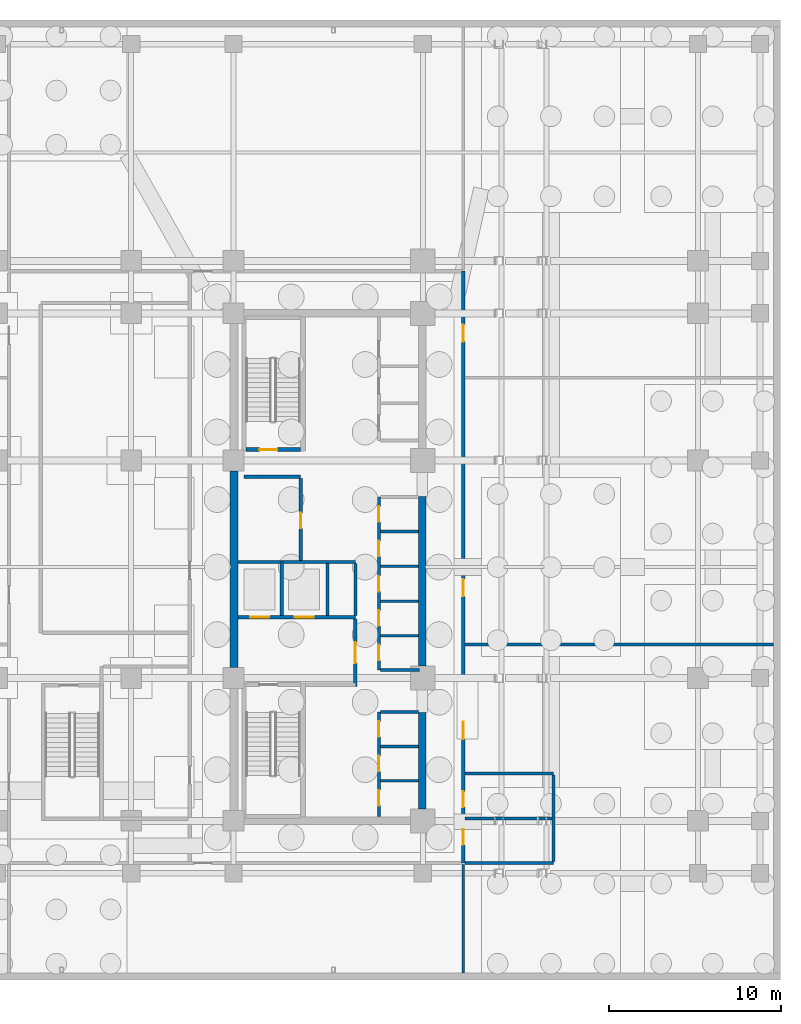
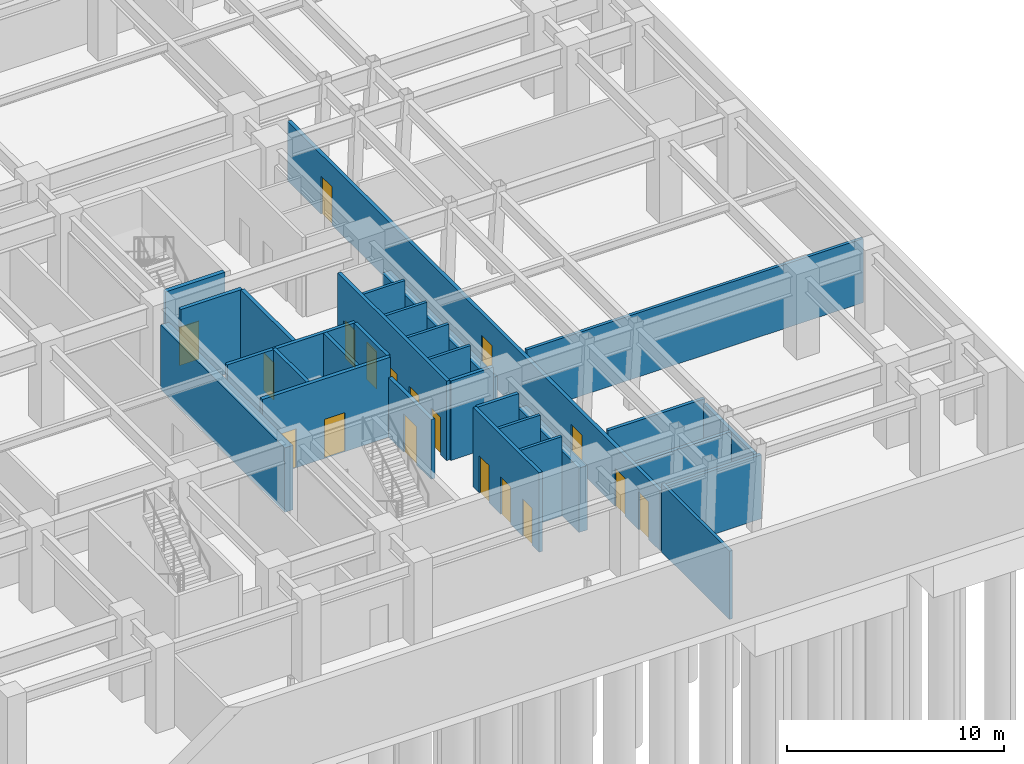
# One storey, part 10 of 13: 29 walls, 18 doors, 18 openings.
"""IFC4 building model written with IfcOpenShell, lengths in metres."""

from ifc_helpers import new_model, si_unit, direction, frame, frame_2d, origin, place, context, subcontext, project, spatial, rectangle, extrude, material, layer, layer_set, type_object, element, fill, save


model = new_model("IFC4")

# Units and contexts
model_context = context("Model", 3, precision=1e-05, world=origin(), true_north=direction((0.0, 1.0)))
body_context = subcontext(model_context, "Body", "Model", "MODEL_VIEW")
ifc_project = project(units=[si_unit("LENGTHUNIT", "METRE"), si_unit("AREAUNIT", "SQUARE_METRE"), si_unit("VOLUMEUNIT", "CUBIC_METRE"), si_unit("PLANEANGLEUNIT", "RADIAN"), si_unit("MASSUNIT", "GRAM", prefix="KILO")], contexts=[model_context])

# Site, building, storey
site_placement = place(None, origin())
site = spatial("IfcSite", under=ifc_project, at=site_placement, CompositionType="ELEMENT")
building_placement = place(site_placement, origin())
building = spatial("IfcBuilding", under=site, at=building_placement, Name="Ochreholt Gables", CompositionType="ELEMENT")
storey_placement = place(building_placement, frame((0.0, 0.0, -9.60009765625)))
storey = spatial("IfcBuildingStorey", under=building, at=storey_placement, Name="B2", CompositionType="ELEMENT", Elevation=-9.60009765625)

# Walls
ifc_material_1 = material(Name="Concrete 60 MPa", Category="concrete")
ifc_layer_1 = layer(ifc_material_1, 0.449951171875, Name="Concrete 60 MPa")
ifc_layer_set_1 = layer_set([ifc_layer_1], Name="Concrete 60 MPa")
wall_type_1 = type_object("IfcWallType", Name="WALL-CSW-450", PredefinedType="SHEAR", material=ifc_layer_set_1)
wall_1_placement = place(storey_placement, frame((24.22509765625, 18.14990234375, 0.0), z_axis=(0.0, 0.0, 1.0), x_axis=(0.0, 1.0, 0.0)))
element("IfcWall", 1, at=wall_1_placement, inside=storey, type_object=wall_type_1, Name="B2 Core West Shear Wall WM", PredefinedType="SHEAR", context=body_context, shape_type="SweptSolid", body=[
    extrude(rectangle(XDim=11.4501953125, YDim=0.449951171875, at=frame_2d((5.72509765625, 0.0))), origin(), (0.0, 0.0, 1.0), 3.629150390625),
])
wall_2_placement = place(storey_placement, frame((35.175048828125, 9.949951171875, 0.0), z_axis=(0.0, 0.0, 1.0), x_axis=(0.0, 1.0, 0.0)))
element("IfcWall", 2, at=wall_2_placement, inside=storey, type_object=wall_type_1, Name="B2 Core South-East Shear Wall", PredefinedType="SHEAR", context=body_context, shape_type="SweptSolid", body=[
    extrude(rectangle(XDim=5.60009765625, YDim=0.449951171875, at=frame_2d((2.800048828125, 0.0))), origin(), (0.0, 0.0, 1.0), 3.629150390625),
])
wall_3_placement = place(storey_placement, frame((35.175048828125, 18.25, 0.0), z_axis=(0.0, 0.0, 1.0), x_axis=(0.0, 1.0, 0.0)))
element("IfcWall", 3, at=wall_3_placement, inside=storey, type_object=wall_type_1, Name="B2 Core Central-East Shear Wall", PredefinedType="SHEAR", context=body_context, shape_type="SweptSolid", body=[
    extrude(rectangle(XDim=9.85009765625, YDim=0.449951171875, at=frame_2d((4.925048828125, 0.0))), origin(), (0.0, 0.0, 1.0), 3.629150390625),
])

# Wall, openings, doors
ifc_material_2 = material(Name="Concrete 40 MPa", Category="concrete")
ifc_layer_2 = layer(ifc_material_2, 0.199951171875, Name="Concrete 40 MPa")
ifc_layer_set_2 = layer_set([ifc_layer_2], Name="Concrete 40 MPa")
wall_type_2 = type_object("IfcWallType", Name="WALL-INT-CF200", PredefinedType="STANDARD", material=ifc_layer_set_2)
wall_4_placement = place(storey_placement, frame((24.449951171875, 21.090087890625, 0.0), z_axis=(0.0, 0.0, 1.0), x_axis=(1.0, 0.0, 0.0)))
wall_4 = element("IfcWall", 4, at=wall_4_placement, inside=storey, type_object=wall_type_2, Name="B2 Interior Wall WI-FFN-B2", PredefinedType="STANDARD", context=body_context, shape_type="SweptSolid", body=[
    extrude(rectangle(XDim=6.830078125, YDim=0.199951171875, at=frame_2d((3.4150390625, 0.0))), origin(), (0.0, 0.0, 1.0), 4.47998046875),
])
opening_1_placement = place(wall_4_placement, frame((0.719970703125, 0.0, 0.0)))
opening_1 = element("IfcOpeningElement", 5, at=opening_1_placement, cuts=wall_4, Name="Opening LD-FF", PredefinedType="OPENING", context=body_context, shape_type="SweptSolid", body=[
    extrude(rectangle(XDim=1.10009765625, YDim=2.199951171875, at=frame_2d((0.550048828125, 1.10009765625))), frame((0.0, 0.10986328125, 0.0), z_axis=(0.0, -1.0, 0.0), x_axis=(1.0, 0.0, 0.0)), (0.0, 0.0, 1.0), 0.219970703125),
])
opening_2_placement = place(wall_4_placement, frame((3.320068359375, 0.0, 0.0)))
opening_2 = element("IfcOpeningElement", 6, at=opening_2_placement, cuts=wall_4, Name="Opening LD-FF", PredefinedType="OPENING", context=body_context, shape_type="SweptSolid", body=[
    extrude(rectangle(XDim=1.10009765625, YDim=2.199951171875, at=frame_2d((0.550048828125, 1.10009765625))), frame((0.0, 0.10986328125, 0.0), z_axis=(0.0, -1.0, 0.0), x_axis=(1.0, 0.0, 0.0)), (0.0, 0.0, 1.0), 0.219970703125),
])
ifc_material_3 = material(Name="Stainless Steel", Category="steel")
door_type_1 = type_object("IfcDoorType", Name="DR-LFT-FF1100", OperationType="NOTDEFINED", PredefinedType="DOOR", material=ifc_material_3)
door_1_placement = place(opening_1_placement, origin())
door_1 = element("IfcDoor", 7, at=door_1_placement, inside=storey, type_object=door_type_1, Name="B2 Door LD-FF1-B2", OperationType="SLIDING_TO_LEFT", OverallHeight=2.199951171875, OverallWidth=1.10009765625, PredefinedType="DOOR", context=body_context, shape_type="SweptSolid", body=[
    extrude(rectangle(XDim=1.10009765625, YDim=2.199951171875, at=frame_2d((0.550048828125, 1.10009765625))), frame((0.0, 0.02490234375, 0.0), z_axis=(0.0, -1.0, 0.0), x_axis=(1.0, 0.0, 0.0)), (0.0, 0.0, 1.0), 0.050048828125),
])
fill(opening_1, door_1)
door_2_placement = place(opening_2_placement, origin())
door_2 = element("IfcDoor", 8, at=door_2_placement, inside=storey, type_object=door_type_1, Name="B2 Door LD-FF2-B2", OperationType="SLIDING_TO_LEFT", OverallHeight=2.199951171875, OverallWidth=1.10009765625, PredefinedType="DOOR", context=body_context, shape_type="SweptSolid", body=[
    extrude(rectangle(XDim=1.10009765625, YDim=2.199951171875, at=frame_2d((0.550048828125, 1.10009765625))), frame((0.0, 0.02490234375, 0.0), z_axis=(0.0, -1.0, 0.0), x_axis=(1.0, 0.0, 0.0)), (0.0, 0.0, 1.0), 0.050048828125),
])
fill(opening_2, door_2)

# Wall, opening, door
wall_5_placement = place(storey_placement, frame((31.280029296875, 17.070068359375, 0.0), z_axis=(0.0, 0.0, 1.0), x_axis=(0.0, 1.0, 0.0)))
wall_5 = element("IfcWall", 9, at=wall_5_placement, inside=storey, type_object=wall_type_2, Name="B2 Interior Wall WI-FFE-B2", PredefinedType="STANDARD", context=body_context, shape_type="SweptSolid", body=[
    extrude(rectangle(XDim=3.919921875, YDim=0.199951171875, at=frame_2d((1.9599609375, 0.0))), origin(), (0.0, 0.0, 1.0), 3.362060546875),
])
opening_3_placement = place(wall_5_placement, frame((1.35009765625, 0.0, 0.0)))
opening_3 = element("IfcOpeningElement", 10, at=opening_3_placement, cuts=wall_5, Name="Opening D-FFL", PredefinedType="OPENING", context=body_context, shape_type="SweptSolid", body=[
    extrude(rectangle(XDim=1.199951171875, YDim=2.14990234375, at=frame_2d((0.60009765625, 1.074951171875))), frame((0.0, 0.10986328125, 0.0), z_axis=(0.0, -1.0, 0.0), x_axis=(1.0, 0.0, 0.0)), (0.0, 0.0, 1.0), 0.219970703125),
])
ifc_material_4 = material(Name="Hollow Metal Steel", Category="steel")
door_type_2 = type_object("IfcDoorType", Name="DR-INT-FFL1200", OperationType="NOTDEFINED", PredefinedType="DOOR", material=ifc_material_4)
door_3_placement = place(opening_3_placement, origin())
door_3 = element("IfcDoor", 11, at=door_3_placement, inside=storey, type_object=door_type_2, Name="B2 Door D-FFL-B2", OperationType="SINGLE_SWING_LEFT", OverallHeight=2.14990234375, OverallWidth=1.199951171875, PredefinedType="DOOR", context=body_context, shape_type="SweptSolid", body=[
    extrude(rectangle(XDim=1.199951171875, YDim=2.14990234375, at=frame_2d((0.60009765625, 1.074951171875))), frame((0.0, 0.02490234375, 0.0), z_axis=(0.0, -1.0, 0.0), x_axis=(1.0, 0.0, 0.0)), (0.0, 0.0, 1.0), 0.050048828125),
])
fill(opening_3, door_3)

# Wall
wall_6_placement = place(storey_placement, frame((24.820068359375, 29.239990234375, 0.0), z_axis=(0.0, 0.0, 1.0), x_axis=(1.0, 0.0, 0.0)))
element("IfcWall", 12, at=wall_6_placement, inside=storey, type_object=wall_type_2, Name="B2 Interior Wall WI-SRVN-B2", PredefinedType="STANDARD", context=body_context, shape_type="SweptSolid", body=[
    extrude(rectangle(XDim=3.280029296875, YDim=0.199951171875, at=frame_2d((1.64013671875, 0.0))), origin(), (0.0, 0.0, 1.0), 4.47998046875),
])

# Wall, opening, door
wall_7_placement = place(storey_placement, frame((28.10009765625, 24.389892578125, 0.0), z_axis=(0.0, 0.0, 1.0), x_axis=(0.0, 1.0, 0.0)))
wall_7 = element("IfcWall", 13, at=wall_7_placement, inside=storey, type_object=wall_type_2, Name="B2 Interior Wall WI-SRVE-B2", PredefinedType="STANDARD", context=body_context, shape_type="SweptSolid", body=[
    extrude(rectangle(XDim=4.75, YDim=0.199951171875, at=frame_2d((2.375, 0.0))), origin(), (0.0, 0.0, 1.0), 4.47998046875),
])
opening_4_placement = place(wall_7_placement, frame((1.860107421875, 0.0, 0.0)))
opening_4 = element("IfcOpeningElement", 14, at=opening_4_placement, cuts=wall_7, Name="Opening D-SV1", PredefinedType="OPENING", context=body_context, shape_type="SweptSolid", body=[
    extrude(rectangle(XDim=0.89990234375, YDim=2.10009765625, at=frame_2d((0.449951171875, 1.050048828125))), frame((0.0, 0.10986328125, 0.0), z_axis=(0.0, -1.0, 0.0), x_axis=(1.0, 0.0, 0.0)), (0.0, 0.0, 1.0), 0.219970703125),
])
door_type_3 = type_object("IfcDoorType", Name="DR-INT-SRV900", OperationType="NOTDEFINED", PredefinedType="DOOR", material=ifc_material_4)
door_4_placement = place(opening_4_placement, origin())
door_4 = element("IfcDoor", 15, at=door_4_placement, inside=storey, type_object=door_type_3, Name="B2 Door D-SRV1-B2", OperationType="SINGLE_SWING_LEFT", OverallHeight=2.10009765625, OverallWidth=0.89990234375, PredefinedType="DOOR", context=body_context, shape_type="SweptSolid", body=[
    extrude(rectangle(XDim=0.89990234375, YDim=2.10009765625, at=frame_2d((0.449951171875, 1.050048828125))), frame((0.0, 0.02490234375, 0.0), z_axis=(0.0, -1.0, 0.0), x_axis=(1.0, 0.0, 0.0)), (0.0, 0.0, 1.0), 0.050048828125),
])
fill(opening_4, door_4)

# Wall, openings, doors
ifc_material_5 = material(Name="Fire-Rated Gypsum Acoustic Partition", Category="gypsum")
ifc_layer_3 = layer(ifc_material_5, 0.18994140625, Name="Fire-Rated Gypsum Acoustic Partition")
ifc_layer_set_3 = layer_set([ifc_layer_3], Name="Fire-Rated Gypsum Acoustic Partition")
wall_type_3 = type_object("IfcWallType", Name="WALL-INT-CR190", PredefinedType="STANDARD", material=ifc_layer_set_3)
wall_8_placement = place(storey_placement, frame((37.550048828125, 6.800048828125, 0.0), z_axis=(0.0, 0.0, 1.0), x_axis=(0.0, 1.0, 0.0)))
wall_8 = element("IfcWall", 16, at=wall_8_placement, inside=storey, type_object=wall_type_3, Name="B2 Interior Wall WI-BCE-B2", PredefinedType="STANDARD", context=body_context, shape_type="SweptSolid", body=[
    extrude(rectangle(XDim=34.39990234375, YDim=0.18994140625, at=frame_2d((17.199951171875, 0.0))), origin(), (0.0, 0.0, 1.0), 3.362060546875),
])
opening_5_placement = place(wall_8_placement, frame((1.050048828125, 0.0, 0.0)))
opening_5 = element("IfcOpeningElement", 17, at=opening_5_placement, cuts=wall_8, Name="Opening D-WC1", PredefinedType="OPENING", context=body_context, shape_type="SweptSolid", body=[
    extrude(rectangle(XDim=0.919921875, YDim=2.139892578125, at=frame_2d((0.4599609375, 1.06982421875))), frame((0.0, 0.10498046875, 0.0), z_axis=(0.0, -1.0, 0.0), x_axis=(1.0, 0.0, 0.0)), (0.0, 0.0, 1.0), 0.2099609375),
])
opening_6_placement = place(wall_8_placement, frame((3.25, 0.0, 0.0)))
opening_6 = element("IfcOpeningElement", 18, at=opening_6_placement, cuts=wall_8, Name="Opening D-WC1", PredefinedType="OPENING", context=body_context, shape_type="SweptSolid", body=[
    extrude(rectangle(XDim=0.919921875, YDim=2.139892578125, at=frame_2d((0.4599609375, 1.06982421875))), frame((0.0, 0.10498046875, 0.0), z_axis=(0.0, -1.0, 0.0), x_axis=(1.0, 0.0, 0.0)), (0.0, 0.0, 1.0), 0.2099609375),
])
opening_7_placement = place(wall_8_placement, frame((7.199951171875, 0.0, 0.0)))
opening_7 = element("IfcOpeningElement", 19, at=opening_7_placement, cuts=wall_8, Name="Opening D-SV3", PredefinedType="OPENING", context=body_context, shape_type="SweptSolid", body=[
    extrude(rectangle(XDim=1.0, YDim=2.14990234375, at=frame_2d((0.5, 1.074951171875))), frame((0.0, 0.10498046875, 0.0), z_axis=(0.0, -1.0, 0.0), x_axis=(1.0, 0.0, 0.0)), (0.0, 0.0, 1.0), 0.2099609375),
])
opening_8_placement = place(wall_8_placement, frame((15.5, 0.0, 0.0)))
opening_8 = element("IfcOpeningElement", 20, at=opening_8_placement, cuts=wall_8, Name="Opening D-SV3", PredefinedType="OPENING", context=body_context, shape_type="SweptSolid", body=[
    extrude(rectangle(XDim=1.0, YDim=2.14990234375, at=frame_2d((0.5, 1.074951171875))), frame((0.0, 0.10498046875, 0.0), z_axis=(0.0, -1.0, 0.0), x_axis=(1.0, 0.0, 0.0)), (0.0, 0.0, 1.0), 0.2099609375),
])
opening_9_placement = place(wall_8_placement, frame((30.300048828125, 0.0, 0.0)))
opening_9 = element("IfcOpeningElement", 21, at=opening_9_placement, cuts=wall_8, Name="Opening D-SV3", PredefinedType="OPENING", context=body_context, shape_type="SweptSolid", body=[
    extrude(rectangle(XDim=1.0, YDim=2.14990234375, at=frame_2d((0.5, 1.074951171875))), frame((0.0, 0.10498046875, 0.0), z_axis=(0.0, -1.0, 0.0), x_axis=(1.0, 0.0, 0.0)), (0.0, 0.0, 1.0), 0.2099609375),
])
door_type_4 = type_object("IfcDoorType", Name="DR-INT-SRV1000", OperationType="NOTDEFINED", PredefinedType="DOOR", material=ifc_material_4)
door_5_placement = place(opening_7_placement, origin())
door_5 = element("IfcDoor", 22, at=door_5_placement, inside=storey, type_object=door_type_4, Name="B2 Door D-BM6-B2", OperationType="SINGLE_SWING_LEFT", OverallHeight=2.14990234375, OverallWidth=1.0, PredefinedType="DOOR", context=body_context, shape_type="SweptSolid", body=[
    extrude(rectangle(XDim=1.0, YDim=2.14990234375, at=frame_2d((0.5, 1.074951171875))), frame((0.0, 0.02490234375, 0.0), z_axis=(0.0, -1.0, 0.0), x_axis=(1.0, 0.0, 0.0)), (0.0, 0.0, 1.0), 0.050048828125),
])
fill(opening_7, door_5)
door_6_placement = place(opening_8_placement, origin())
door_6 = element("IfcDoor", 23, at=door_6_placement, inside=storey, type_object=door_type_4, Name="B2 Door D-BM7-B2", OperationType="SINGLE_SWING_RIGHT", OverallHeight=2.14990234375, OverallWidth=1.0, PredefinedType="DOOR", context=body_context, shape_type="SweptSolid", body=[
    extrude(rectangle(XDim=1.0, YDim=2.14990234375, at=frame_2d((0.5, 1.074951171875))), frame((0.0, 0.02490234375, 0.0), z_axis=(0.0, -1.0, 0.0), x_axis=(1.0, 0.0, 0.0)), (0.0, 0.0, 1.0), 0.050048828125),
])
fill(opening_8, door_6)
door_7_placement = place(opening_9_placement, origin())
door_7 = element("IfcDoor", 24, at=door_7_placement, inside=storey, type_object=door_type_4, Name="B2 Door D-BM8-B2", OperationType="SINGLE_SWING_LEFT", OverallHeight=2.14990234375, OverallWidth=1.0, PredefinedType="DOOR", context=body_context, shape_type="SweptSolid", body=[
    extrude(rectangle(XDim=1.0, YDim=2.14990234375, at=frame_2d((0.5, 1.074951171875))), frame((0.0, 0.02490234375, 0.0), z_axis=(0.0, -1.0, 0.0), x_axis=(1.0, 0.0, 0.0)), (0.0, 0.0, 1.0), 0.050048828125),
])
fill(opening_9, door_7)
ifc_material_6 = material(Name="Engineered Oak Timber", Category="wood")
door_type_5 = type_object("IfcDoorType", Name="DR-INT-WC920", OperationType="NOTDEFINED", PredefinedType="DOOR", material=ifc_material_6)
door_8_placement = place(opening_5_placement, origin())
door_8 = element("IfcDoor", 25, at=door_8_placement, inside=storey, type_object=door_type_5, Name="B2 Door D-BWC1-B2", OperationType="SINGLE_SWING_LEFT", OverallHeight=2.139892578125, OverallWidth=0.919921875, PredefinedType="DOOR", context=body_context, shape_type="SweptSolid", body=[
    extrude(rectangle(XDim=0.919921875, YDim=2.139892578125, at=frame_2d((0.4599609375, 1.06982421875))), frame((0.0, 0.02490234375, 0.0), z_axis=(0.0, -1.0, 0.0), x_axis=(1.0, 0.0, 0.0)), (0.0, 0.0, 1.0), 0.050048828125),
])
fill(opening_5, door_8)
door_9_placement = place(opening_6_placement, origin())
door_9 = element("IfcDoor", 26, at=door_9_placement, inside=storey, type_object=door_type_5, Name="B2 Door D-BWC2-B2", OperationType="SINGLE_SWING_RIGHT", OverallHeight=2.139892578125, OverallWidth=0.919921875, PredefinedType="DOOR", context=body_context, shape_type="SweptSolid", body=[
    extrude(rectangle(XDim=0.919921875, YDim=2.139892578125, at=frame_2d((0.4599609375, 1.06982421875))), frame((0.0, 0.02490234375, 0.0), z_axis=(0.0, -1.0, 0.0), x_axis=(1.0, 0.0, 0.0)), (0.0, 0.0, 1.0), 0.050048828125),
])
fill(opening_6, door_9)

# Walls
ifc_material_7 = material(Name="Moisture-Resistant Plumbing Chase Wall", Category="gypsum")
ifc_layer_4 = layer(ifc_material_7, 0.175048828125, Name="Moisture-Resistant Plumbing Chase Wall")
ifc_layer_set_4 = layer_set([ifc_layer_4], Name="Moisture-Resistant Plumbing Chase Wall")
wall_type_4 = type_object("IfcWallType", Name="WALL-INT-PL175", PredefinedType="PLUMBINGWALL", material=ifc_layer_set_4)
for number, where, z_axis, x_axis, name in (
    (27, (37.64501953125, 6.800048828125, 0.0), (0.0, 0.0, 1.0), (1.0, 0.0, 0.0), "B2 Interior Wall WI-BWC0-B2"),
    (28, (37.64501953125, 12.0, 0.0), (0.0, 0.0, 1.0), (1.0, 0.0, 0.0), "B2 Interior Wall WI-BWC1-B2"),
):
    element("IfcWall", number, at=place(storey_placement, frame(where, z_axis=z_axis, x_axis=x_axis)), inside=storey, type_object=wall_type_4, Name=name, PredefinedType="PLUMBINGWALL", context=body_context, shape_type="SweptSolid", body=[
        extrude(rectangle(XDim=5.155029296875, YDim=0.175048828125, at=frame_2d((2.57763671875, 0.0))), origin(), (0.0, 0.0, 1.0), 3.611083984375),
    ])
wall_9_placement = place(storey_placement, frame((37.64501953125, 9.39990234375, 0.0), z_axis=(0.0, 0.0, 1.0), x_axis=(1.0, 0.0, 0.0)))
element("IfcWall", 29, at=wall_9_placement, inside=storey, type_object=wall_type_4, Name="B2 Interior Wall WI-BWC2-B2", PredefinedType="PLUMBINGWALL", context=body_context, shape_type="SweptSolid", body=[
    extrude(rectangle(XDim=5.155029296875, YDim=0.175048828125, at=frame_2d((2.57763671875, 0.0))), origin(), (0.0, 0.0, 1.0), 3.362060546875),
])
wall_10_placement = place(storey_placement, frame((42.800048828125, 6.887451171875, 0.0), z_axis=(0.0, 0.0, 1.0), x_axis=(0.0, 1.0, 0.0)))
element("IfcWall", 30, at=wall_10_placement, inside=storey, type_object=wall_type_4, Name="B2 Interior Wall WI-BWC3-B2", PredefinedType="PLUMBINGWALL", context=body_context, shape_type="SweptSolid", body=[
    extrude(rectangle(XDim=5.025146484375, YDim=0.175048828125, at=frame_2d((2.5126953125, 0.0))), origin(), (0.0, 0.0, 1.0), 3.362060546875),
])
ifc_material_8 = material(Name="Gypsum Acoustic Stud Partition", Category="gypsum")
ifc_layer_5 = layer(ifc_material_8, 0.159912109375, Name="Gypsum Acoustic Stud Partition")
ifc_layer_set_5 = layer_set([ifc_layer_5], Name="Gypsum Acoustic Stud Partition")
wall_type_5 = type_object("IfcWallType", Name="WALL-INT-PT160", PredefinedType="PARTITIONING", material=ifc_layer_set_5)
wall_11_placement = place(storey_placement, frame((37.550048828125, 0.419921875, 0.0), z_axis=(0.0, 0.0, 1.0), x_axis=(0.0, 1.0, 0.0)))
element("IfcWall", 31, at=wall_11_placement, inside=storey, type_object=wall_type_5, Name="B2 Interior Wall WI-BCES-B2", PredefinedType="PARTITIONING", context=body_context, shape_type="SweptSolid", body=[
    extrude(rectangle(XDim=6.28515625, YDim=0.159912109375, at=frame_2d((3.142578125, 0.0))), origin(), (0.0, 0.0, 1.0), 3.85107421875),
])
wall_12_placement = place(storey_placement, frame((37.64501953125, 19.5, 0.0), z_axis=(0.0, 0.0, 1.0), x_axis=(1.0, 0.0, 0.0)))
element("IfcWall", 32, at=wall_12_placement, inside=storey, type_object=wall_type_5, Name="B2 Interior Wall WI-BE1-B2", PredefinedType="PARTITIONING", context=body_context, shape_type="SweptSolid", body=[
    extrude(rectangle(XDim=17.93505859375, YDim=0.159912109375, at=frame_2d((8.967529296875, 0.0))), origin(), (0.0, 0.0, 1.0), 3.611083984375),
])
ifc_material_9 = material(Name="Gypsum Shaftliner and Steel Stud", Category="steel")
ifc_layer_6 = layer(ifc_material_9, 0.14990234375, Name="Gypsum Shaftliner and Steel Stud")
ifc_layer_set_6 = layer_set([ifc_layer_6], Name="Gypsum Shaftliner and Steel Stud")
wall_type_6 = type_object("IfcWallType", Name="WALL-INT-SH150", PredefinedType="STANDARD", material=ifc_layer_set_6)
for number, where, z_axis, x_axis, name in (
    (33, (32.739990234375, 11.570068359375, 0.0), (0.0, 0.0, 1.0), (1.0, 0.0, 0.0), "B2 Interior Wall WI-LFL-D1-B2"),
    (34, (32.739990234375, 13.570068359375, 0.0), (0.0, 0.0, 1.0), (1.0, 0.0, 0.0), "B2 Interior Wall WI-LFL-D2-B2"),
    (35, (32.739990234375, 20.02001953125, 0.0), (0.0, 0.0, 1.0), (1.0, 0.0, 0.0), "B2 Interior Wall WI-LFHE-DH1-B2"),
    (36, (32.739990234375, 22.02001953125, 0.0), (0.0, 0.0, 1.0), (1.0, 0.0, 0.0), "B2 Interior Wall WI-LFHE-DH2-B2"),
    (37, (32.739990234375, 24.050048828125, 0.0), (0.0, 0.0, 1.0), (1.0, 0.0, 0.0), "B2 Interior Wall WI-LFHE-DHE-B2"),
    (38, (32.739990234375, 26.070068359375, 0.0), (0.0, 0.0, 1.0), (1.0, 0.0, 0.0), "B2 Interior Wall WI-LFHE-DEX1-B2"),
):
    element("IfcWall", number, at=place(storey_placement, frame(where, z_axis=z_axis, x_axis=x_axis)), inside=storey, type_object=wall_type_6, Name=name, PredefinedType="STANDARD", context=body_context, shape_type="SweptSolid", body=[
        extrude(rectangle(XDim=2.2099609375, YDim=0.14990234375, at=frame_2d((1.10498046875, 0.0))), origin(), (0.0, 0.0, 1.0), 4.47998046875),
    ])
ifc_layer_7 = layer(ifc_material_9, 0.179931640625, Name="Gypsum Shaftliner and Steel Stud")
ifc_layer_set_7 = layer_set([ifc_layer_7], Name="Gypsum Shaftliner and Steel Stud")
wall_type_7 = type_object("IfcWallType", Name="WALL-INT-SH180", PredefinedType="STANDARD", material=ifc_layer_set_7)
wall_13_placement = place(storey_placement, frame((27.0, 21.18994140625, 0.0), z_axis=(0.0, 0.0, 1.0), x_axis=(0.0, 1.0, 0.0)))
element("IfcWall", 39, at=wall_13_placement, inside=storey, type_object=wall_type_7, Name="B2 Interior Wall WI-FFDIV-B2", PredefinedType="STANDARD", context=body_context, shape_type="SweptSolid", body=[
    extrude(rectangle(XDim=3.110107421875, YDim=0.179931640625, at=frame_2d((1.55517578125, 0.0))), origin(), (0.0, 0.0, 1.0), 4.47998046875),
])
wall_14_placement = place(storey_placement, frame((24.449951171875, 24.300048828125, 0.0), z_axis=(0.0, 0.0, 1.0), x_axis=(1.0, 0.0, 0.0)))
element("IfcWall", 40, at=wall_14_placement, inside=storey, type_object=wall_type_7, Name="B2 Interior Wall WI-FFBK-B2", PredefinedType="STANDARD", context=body_context, shape_type="SweptSolid", body=[
    extrude(rectangle(XDim=6.830078125, YDim=0.179931640625, at=frame_2d((3.4150390625, 0.0))), origin(), (0.0, 0.0, 1.0), 4.47998046875),
])
for number, where, z_axis, x_axis, name in (
    (41, (29.64990234375, 21.18994140625, 0.0), (0.0, 0.0, 1.0), (0.0, 1.0, 0.0), "B2 Interior Wall WI-FFSH-B2"),
    (42, (31.280029296875, 21.18994140625, 0.0), (0.0, 0.0, 1.0), (0.0, 1.0, 0.0), "B2 Interior Wall WI-RSE-B2"),
):
    element("IfcWall", number, at=place(storey_placement, frame(where, z_axis=z_axis, x_axis=x_axis)), inside=storey, type_object=wall_type_7, Name=name, PredefinedType="STANDARD", context=body_context, shape_type="SweptSolid", body=[
        extrude(rectangle(XDim=3.02001953125, YDim=0.179931640625, at=frame_2d((1.510009765625, 0.0))), origin(), (0.0, 0.0, 1.0), 4.47998046875),
    ])

# Wall, openings, doors
wall_15_placement = place(storey_placement, frame((32.64990234375, 9.5, 0.0), z_axis=(0.0, 0.0, 1.0), x_axis=(0.0, 1.0, 0.0)))
wall_15 = element("IfcWall", 43, at=wall_15_placement, inside=storey, type_object=wall_type_7, Name="B2 Interior Wall WI-LFL-FR-B2", PredefinedType="STANDARD", context=body_context, shape_type="SweptSolid", body=[
    extrude(rectangle(XDim=6.080078125, YDim=0.179931640625, at=frame_2d((3.0400390625, 0.0))), origin(), (0.0, 0.0, 1.0), 4.47998046875),
])
opening_10_placement = place(wall_15_placement, frame((0.6298828125, 0.0, 0.0)))
opening_10 = element("IfcOpeningElement", 44, at=opening_10_placement, cuts=wall_15, Name="Opening D-SV1", PredefinedType="OPENING", context=body_context, shape_type="SweptSolid", body=[
    extrude(rectangle(XDim=0.89990234375, YDim=2.10009765625, at=frame_2d((0.449951171875, 1.050048828125))), frame((0.0, 0.099853515625, 0.0), z_axis=(0.0, -1.0, 0.0), x_axis=(1.0, 0.0, 0.0)), (0.0, 0.0, 1.0), 0.199951171875),
])
opening_11_placement = place(wall_15_placement, frame((2.6298828125, 0.0, 0.0)))
opening_11 = element("IfcOpeningElement", 45, at=opening_11_placement, cuts=wall_15, Name="Opening D-SV1", PredefinedType="OPENING", context=body_context, shape_type="SweptSolid", body=[
    extrude(rectangle(XDim=0.89990234375, YDim=2.10009765625, at=frame_2d((0.449951171875, 1.050048828125))), frame((0.0, 0.099853515625, 0.0), z_axis=(0.0, -1.0, 0.0), x_axis=(1.0, 0.0, 0.0)), (0.0, 0.0, 1.0), 0.199951171875),
])
opening_12_placement = place(wall_15_placement, frame((4.6298828125, 0.0, 0.0)))
opening_12 = element("IfcOpeningElement", 46, at=opening_12_placement, cuts=wall_15, Name="Opening D-SV1", PredefinedType="OPENING", context=body_context, shape_type="SweptSolid", body=[
    extrude(rectangle(XDim=0.89990234375, YDim=2.10009765625, at=frame_2d((0.449951171875, 1.050048828125))), frame((0.0, 0.099853515625, 0.0), z_axis=(0.0, -1.0, 0.0), x_axis=(1.0, 0.0, 0.0)), (0.0, 0.0, 1.0), 0.199951171875),
])
door_10_placement = place(opening_10_placement, origin())
door_10 = element("IfcDoor", 47, at=door_10_placement, inside=storey, type_object=door_type_3, Name="B2 Door D-LCST1-B2", OperationType="SINGLE_SWING_LEFT", OverallHeight=2.10009765625, OverallWidth=0.89990234375, PredefinedType="DOOR", context=body_context, shape_type="SweptSolid", body=[
    extrude(rectangle(XDim=0.89990234375, YDim=2.10009765625, at=frame_2d((0.449951171875, 1.050048828125))), frame((0.0, 0.02490234375, 0.0), z_axis=(0.0, -1.0, 0.0), x_axis=(1.0, 0.0, 0.0)), (0.0, 0.0, 1.0), 0.050048828125),
])
fill(opening_10, door_10)
door_11_placement = place(opening_11_placement, origin())
door_11 = element("IfcDoor", 48, at=door_11_placement, inside=storey, type_object=door_type_3, Name="B2 Door D-LCST2-B2", OperationType="SINGLE_SWING_LEFT", OverallHeight=2.10009765625, OverallWidth=0.89990234375, PredefinedType="DOOR", context=body_context, shape_type="SweptSolid", body=[
    extrude(rectangle(XDim=0.89990234375, YDim=2.10009765625, at=frame_2d((0.449951171875, 1.050048828125))), frame((0.0, 0.02490234375, 0.0), z_axis=(0.0, -1.0, 0.0), x_axis=(1.0, 0.0, 0.0)), (0.0, 0.0, 1.0), 0.050048828125),
])
fill(opening_11, door_11)
door_12_placement = place(opening_12_placement, origin())
door_12 = element("IfcDoor", 49, at=door_12_placement, inside=storey, type_object=door_type_3, Name="B2 Door D-LCST3-B2", OperationType="SINGLE_SWING_LEFT", OverallHeight=2.10009765625, OverallWidth=0.89990234375, PredefinedType="DOOR", context=body_context, shape_type="SweptSolid", body=[
    extrude(rectangle(XDim=0.89990234375, YDim=2.10009765625, at=frame_2d((0.449951171875, 1.050048828125))), frame((0.0, 0.02490234375, 0.0), z_axis=(0.0, -1.0, 0.0), x_axis=(1.0, 0.0, 0.0)), (0.0, 0.0, 1.0), 0.050048828125),
])
fill(opening_12, door_12)

# Wall
wall_16_placement = place(storey_placement, frame((32.739990234375, 15.580078125, 0.0), z_axis=(0.0, 0.0, 1.0), x_axis=(1.0, 0.0, 0.0)))
element("IfcWall", 50, at=wall_16_placement, inside=storey, type_object=wall_type_7, Name="B2 Interior Wall WI-LFL-N-B2", PredefinedType="STANDARD", context=body_context, shape_type="SweptSolid", body=[
    extrude(rectangle(XDim=2.2099609375, YDim=0.179931640625, at=frame_2d((1.10498046875, 0.0))), origin(), (0.0, 0.0, 1.0), 4.47998046875),
])

# Wall, openings, doors
wall_17_placement = place(storey_placement, frame((32.64990234375, 18.02001953125, 0.0), z_axis=(0.0, 0.0, 1.0), x_axis=(0.0, 1.0, 0.0)))
wall_17 = element("IfcWall", 51, at=wall_17_placement, inside=storey, type_object=wall_type_7, Name="B2 Interior Wall WI-LFHE-FR-B2", PredefinedType="STANDARD", context=body_context, shape_type="SweptSolid", body=[
    extrude(rectangle(XDim=10.06005859375, YDim=0.179931640625, at=frame_2d((5.030029296875, 0.0))), origin(), (0.0, 0.0, 1.0), 4.47998046875),
])
opening_13_placement = place(wall_17_placement, frame((0.56005859375, 0.0, 0.0)))
opening_13 = element("IfcOpeningElement", 52, at=opening_13_placement, cuts=wall_17, Name="Opening D-SV1", PredefinedType="OPENING", context=body_context, shape_type="SweptSolid", body=[
    extrude(rectangle(XDim=0.89990234375, YDim=2.10009765625, at=frame_2d((0.449951171875, 1.050048828125))), frame((0.0, 0.099853515625, 0.0), z_axis=(0.0, -1.0, 0.0), x_axis=(1.0, 0.0, 0.0)), (0.0, 0.0, 1.0), 0.199951171875),
])
opening_14_placement = place(wall_17_placement, frame((2.56005859375, 0.0, 0.0)))
opening_14 = element("IfcOpeningElement", 53, at=opening_14_placement, cuts=wall_17, Name="Opening D-SV1", PredefinedType="OPENING", context=body_context, shape_type="SweptSolid", body=[
    extrude(rectangle(XDim=0.89990234375, YDim=2.10009765625, at=frame_2d((0.449951171875, 1.050048828125))), frame((0.0, 0.099853515625, 0.0), z_axis=(0.0, -1.0, 0.0), x_axis=(1.0, 0.0, 0.0)), (0.0, 0.0, 1.0), 0.199951171875),
])
opening_15_placement = place(wall_17_placement, frame((4.56005859375, 0.0, 0.0)))
opening_15 = element("IfcOpeningElement", 54, at=opening_15_placement, cuts=wall_17, Name="Opening D-SV1", PredefinedType="OPENING", context=body_context, shape_type="SweptSolid", body=[
    extrude(rectangle(XDim=0.89990234375, YDim=2.10009765625, at=frame_2d((0.449951171875, 1.050048828125))), frame((0.0, 0.099853515625, 0.0), z_axis=(0.0, -1.0, 0.0), x_axis=(1.0, 0.0, 0.0)), (0.0, 0.0, 1.0), 0.199951171875),
])
opening_16_placement = place(wall_17_placement, frame((6.610107421875, 0.0, 0.0)))
opening_16 = element("IfcOpeningElement", 55, at=opening_16_placement, cuts=wall_17, Name="Opening D-SV1", PredefinedType="OPENING", context=body_context, shape_type="SweptSolid", body=[
    extrude(rectangle(XDim=0.89990234375, YDim=2.10009765625, at=frame_2d((0.449951171875, 1.050048828125))), frame((0.0, 0.099853515625, 0.0), z_axis=(0.0, -1.0, 0.0), x_axis=(1.0, 0.0, 0.0)), (0.0, 0.0, 1.0), 0.199951171875),
])
opening_17_placement = place(wall_17_placement, frame((8.610107421875, 0.0, 0.0)))
opening_17 = element("IfcOpeningElement", 56, at=opening_17_placement, cuts=wall_17, Name="Opening D-SV1", PredefinedType="OPENING", context=body_context, shape_type="SweptSolid", body=[
    extrude(rectangle(XDim=0.89990234375, YDim=2.10009765625, at=frame_2d((0.449951171875, 1.050048828125))), frame((0.0, 0.099853515625, 0.0), z_axis=(0.0, -1.0, 0.0), x_axis=(1.0, 0.0, 0.0)), (0.0, 0.0, 1.0), 0.199951171875),
])
door_13_placement = place(opening_13_placement, origin())
door_13 = element("IfcDoor", 57, at=door_13_placement, inside=storey, type_object=door_type_3, Name="B2 Door D-HCST-LF-H1-B2", OperationType="SINGLE_SWING_RIGHT", OverallHeight=2.10009765625, OverallWidth=0.89990234375, PredefinedType="DOOR", context=body_context, shape_type="SweptSolid", body=[
    extrude(rectangle(XDim=0.89990234375, YDim=2.10009765625, at=frame_2d((0.449951171875, 1.050048828125))), frame((0.0, 0.02490234375, 0.0), z_axis=(0.0, -1.0, 0.0), x_axis=(1.0, 0.0, 0.0)), (0.0, 0.0, 1.0), 0.050048828125),
])
fill(opening_13, door_13)
door_14_placement = place(opening_14_placement, origin())
door_14 = element("IfcDoor", 58, at=door_14_placement, inside=storey, type_object=door_type_3, Name="B2 Door D-HCST-LF-H2-B2", OperationType="SINGLE_SWING_RIGHT", OverallHeight=2.10009765625, OverallWidth=0.89990234375, PredefinedType="DOOR", context=body_context, shape_type="SweptSolid", body=[
    extrude(rectangle(XDim=0.89990234375, YDim=2.10009765625, at=frame_2d((0.449951171875, 1.050048828125))), frame((0.0, 0.02490234375, 0.0), z_axis=(0.0, -1.0, 0.0), x_axis=(1.0, 0.0, 0.0)), (0.0, 0.0, 1.0), 0.050048828125),
])
fill(opening_14, door_14)
door_15_placement = place(opening_15_placement, origin())
door_15 = element("IfcDoor", 59, at=door_15_placement, inside=storey, type_object=door_type_3, Name="B2 Door D-HCST-LF-H3-B2", OperationType="SINGLE_SWING_RIGHT", OverallHeight=2.10009765625, OverallWidth=0.89990234375, PredefinedType="DOOR", context=body_context, shape_type="SweptSolid", body=[
    extrude(rectangle(XDim=0.89990234375, YDim=2.10009765625, at=frame_2d((0.449951171875, 1.050048828125))), frame((0.0, 0.02490234375, 0.0), z_axis=(0.0, -1.0, 0.0), x_axis=(1.0, 0.0, 0.0)), (0.0, 0.0, 1.0), 0.050048828125),
])
fill(opening_15, door_15)
door_16_placement = place(opening_16_placement, origin())
door_16 = element("IfcDoor", 60, at=door_16_placement, inside=storey, type_object=door_type_3, Name="B2 Door D-HCST-LF-EX1-B2", OperationType="SINGLE_SWING_RIGHT", OverallHeight=2.10009765625, OverallWidth=0.89990234375, PredefinedType="DOOR", context=body_context, shape_type="SweptSolid", body=[
    extrude(rectangle(XDim=0.89990234375, YDim=2.10009765625, at=frame_2d((0.449951171875, 1.050048828125))), frame((0.0, 0.02490234375, 0.0), z_axis=(0.0, -1.0, 0.0), x_axis=(1.0, 0.0, 0.0)), (0.0, 0.0, 1.0), 0.050048828125),
])
fill(opening_16, door_16)
door_17_placement = place(opening_17_placement, origin())
door_17 = element("IfcDoor", 61, at=door_17_placement, inside=storey, type_object=door_type_3, Name="B2 Door D-HCST-LF-EX2-B2", OperationType="SINGLE_SWING_RIGHT", OverallHeight=2.10009765625, OverallWidth=0.89990234375, PredefinedType="DOOR", context=body_context, shape_type="SweptSolid", body=[
    extrude(rectangle(XDim=0.89990234375, YDim=2.10009765625, at=frame_2d((0.449951171875, 1.050048828125))), frame((0.0, 0.02490234375, 0.0), z_axis=(0.0, -1.0, 0.0), x_axis=(1.0, 0.0, 0.0)), (0.0, 0.0, 1.0), 0.050048828125),
])
fill(opening_17, door_17)

# Wall
wall_18_placement = place(storey_placement, frame((32.739990234375, 18.02001953125, 0.0), z_axis=(0.0, 0.0, 1.0), x_axis=(1.0, 0.0, 0.0)))
element("IfcWall", 62, at=wall_18_placement, inside=storey, type_object=wall_type_7, Name="B2 Interior Wall WI-LFHE-S-B2", PredefinedType="STANDARD", context=body_context, shape_type="SweptSolid", body=[
    extrude(rectangle(XDim=2.260009765625, YDim=0.179931640625, at=frame_2d((1.1298828125, 0.0))), origin(), (0.0, 0.0, 1.0), 4.47998046875),
])

# Wall, opening, door
ifc_material_10 = material(Name="Concrete 50 MPa", Category="concrete")
ifc_layer_8 = layer(ifc_material_10, 0.219970703125, Name="Concrete 50 MPa")
ifc_layer_set_8 = layer_set([ifc_layer_8], Name="Concrete 50 MPa")
wall_type_8 = type_object("IfcWallType", Name="WALL-STW-220", PredefinedType="SHEAR", material=ifc_layer_set_8)
wall_19_placement = place(storey_placement, frame((24.919921875, 30.830078125, 0.0), z_axis=(0.0, 0.0, 1.0), x_axis=(1.0, 0.0, 0.0)))
wall_19 = element("IfcWall", 63, at=wall_19_placement, inside=storey, type_object=wall_type_8, Name="B2 Exit Stair 2 South Wall", PredefinedType="SHEAR", context=body_context, shape_type="SweptSolid", body=[
    extrude(rectangle(XDim=3.16015625, YDim=0.219970703125, at=frame_2d((1.580078125, 0.0))), origin(), (0.0, 0.0, 1.0), 4.47998046875),
])
opening_18_placement = place(wall_19_placement, frame((0.780029296875, 0.0, 0.0)))
opening_18 = element("IfcOpeningElement", 64, at=opening_18_placement, cuts=wall_19, Name="Opening D-STC", PredefinedType="OPENING", context=body_context, shape_type="SweptSolid", body=[
    extrude(rectangle(XDim=1.050048828125, YDim=2.14990234375, at=frame_2d((0.52490234375, 1.074951171875))), frame((0.0, 0.119873046875, 0.0), z_axis=(0.0, -1.0, 0.0), x_axis=(1.0, 0.0, 0.0)), (0.0, 0.0, 1.0), 0.239990234375),
])
door_type_6 = type_object("IfcDoorType", Name="DR-INT-ST1050", OperationType="NOTDEFINED", PredefinedType="DOOR", material=ifc_material_4)
door_18_placement = place(opening_18_placement, origin())
door_18 = element("IfcDoor", 65, at=door_18_placement, inside=storey, type_object=door_type_6, Name="B2 Door D-ST2-B2", OperationType="SINGLE_SWING_RIGHT", OverallHeight=2.14990234375, OverallWidth=1.050048828125, PredefinedType="DOOR", context=body_context, shape_type="SweptSolid", body=[
    extrude(rectangle(XDim=1.050048828125, YDim=2.14990234375, at=frame_2d((0.52490234375, 1.074951171875))), frame((0.0, 0.02490234375, 0.0), z_axis=(0.0, -1.0, 0.0), x_axis=(1.0, 0.0, 0.0)), (0.0, 0.0, 1.0), 0.050048828125),
])
fill(opening_18, door_18)

save(model, "model.ifc")
